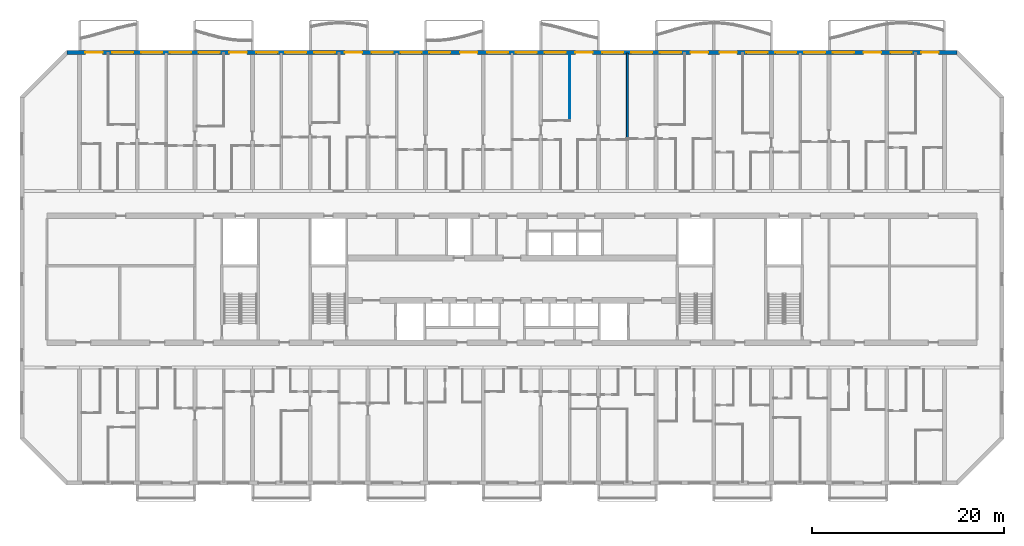
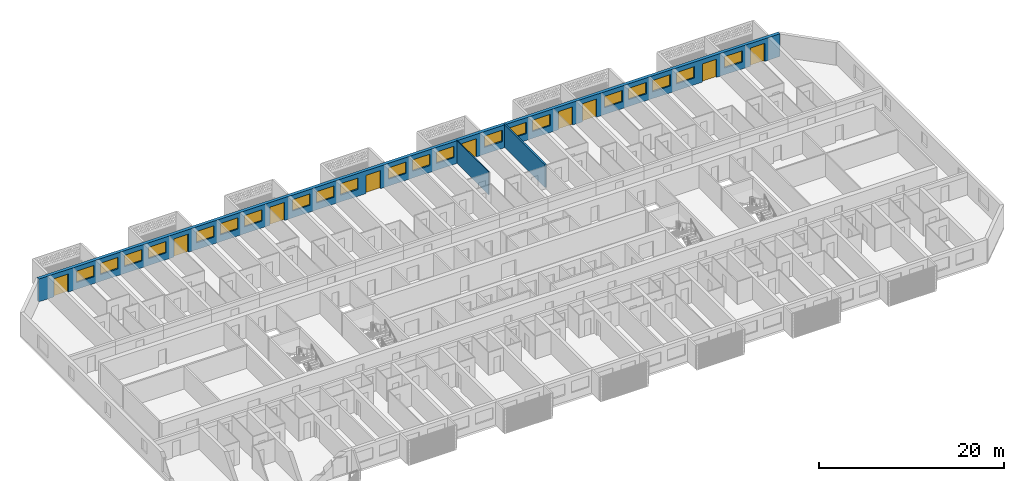
# One storey, part 13 of 38: 21 windows, 9 doors, 3 walls, 30 openings.
"""IFC4 building model written with IfcOpenShell, lengths in metres."""

from ifc_helpers import new_model, si_unit, direction, frame, frame_2d, origin, place, context, subcontext, project, spatial, rectangle, extrude, material, layer, layer_set, type_object, element, fill, save


model = new_model("IFC4")

# Units and contexts
model_context = context("Model", 3, precision=1e-05, world=origin(), true_north=direction((0.0, 1.0)))
body_context = subcontext(model_context, "Body", "Model", "MODEL_VIEW")
ifc_project = project(units=[si_unit("LENGTHUNIT", "METRE"), si_unit("AREAUNIT", "SQUARE_METRE"), si_unit("VOLUMEUNIT", "CUBIC_METRE"), si_unit("PLANEANGLEUNIT", "RADIAN"), si_unit("MASSUNIT", "GRAM", prefix="KILO")], contexts=[model_context])

# Site, building, storey
site_placement = place(None, origin())
site = spatial("IfcSite", under=ifc_project, at=site_placement, CompositionType="ELEMENT")
building_placement = place(site_placement, origin())
building = spatial("IfcBuilding", under=site, at=building_placement, Name="Poui Terraces", CompositionType="ELEMENT")
storey_placement = place(building_placement, frame((0.0, 0.0, 49.800048828125)))
storey = spatial("IfcBuildingStorey", under=building, at=storey_placement, Name="L13", CompositionType="ELEMENT", Elevation=49.800048828125)

# Wall, openings, doors, windows
ifc_material_1 = material(Name="Precast concrete 40 MPa", Category="concrete")
ifc_layer_1 = layer(ifc_material_1, 0.39990234375)
ifc_layer_set_1 = layer_set([ifc_layer_1], Name="Precast concrete 40 MPa")
wall_type_1 = type_object("IfcWallType", Name="EXTERNAL WALL 400", PredefinedType="STANDARD", material=ifc_layer_set_1)
wall_1_placement = place(storey_placement, frame((97.317138671875, 44.800048828125, 0.0), z_axis=(0.0, 0.0, 1.0), x_axis=(-1.0, 0.0, 0.0)))
wall_1 = element("IfcWall", 1, at=wall_1_placement, inside=storey, type_object=wall_type_1, Name="EXTERNAL WALL N", PredefinedType="STANDARD", context=body_context, shape_type="SweptSolid", body=[
    extrude(rectangle(XDim=92.63427734375, YDim=0.39990234375, at=frame_2d((46.317138671875, 0.0))), origin(), (0.0, 0.0, 1.0), 3.0),
])
opening_1_placement = place(wall_1_placement, frame((88.917236328125, 0.0, 0.0)))
opening_1 = element("IfcOpeningElement", 2, at=opening_1_placement, cuts=wall_1, Name="Opening BD1", PredefinedType="OPENING", context=body_context, shape_type="SweptSolid", body=[
    extrude(rectangle(XDim=1.800048828125, YDim=2.39990234375, at=frame_2d((0.89990234375, 1.199951171875))), frame((0.0, 0.2099609375, 0.0), z_axis=(0.0, -1.0, 0.0), x_axis=(1.0, 0.0, 0.0)), (0.0, 0.0, 1.0), 0.419921875),
])
opening_2_placement = place(wall_1_placement, frame((85.71728515625, 0.0, 0.89990234375)))
opening_2 = element("IfcOpeningElement", 3, at=opening_2_placement, cuts=wall_1, Name="Opening W1", PredefinedType="OPENING", context=body_context, shape_type="SweptSolid", body=[
    extrude(rectangle(XDim=2.199951171875, YDim=1.5, at=frame_2d((1.10009765625, 0.75))), frame((0.0, 0.2099609375, 0.0), z_axis=(0.0, -1.0, 0.0), x_axis=(1.0, 0.0, 0.0)), (0.0, 0.0, 1.0), 0.419921875),
])
opening_3_placement = place(wall_1_placement, frame((82.71728515625, 0.0, 0.89990234375)))
opening_3 = element("IfcOpeningElement", 4, at=opening_3_placement, cuts=wall_1, Name="Opening W1", PredefinedType="OPENING", context=body_context, shape_type="SweptSolid", body=[
    extrude(rectangle(XDim=2.199951171875, YDim=1.5, at=frame_2d((1.10009765625, 0.75))), frame((0.0, 0.2099609375, 0.0), z_axis=(0.0, -1.0, 0.0), x_axis=(1.0, 0.0, 0.0)), (0.0, 0.0, 1.0), 0.419921875),
])
opening_4_placement = place(wall_1_placement, frame((79.71728515625, 0.0, 0.89990234375)))
opening_4 = element("IfcOpeningElement", 5, at=opening_4_placement, cuts=wall_1, Name="Opening W1", PredefinedType="OPENING", context=body_context, shape_type="SweptSolid", body=[
    extrude(rectangle(XDim=2.199951171875, YDim=1.5, at=frame_2d((1.10009765625, 0.75))), frame((0.0, 0.2099609375, 0.0), z_axis=(0.0, -1.0, 0.0), x_axis=(1.0, 0.0, 0.0)), (0.0, 0.0, 1.0), 0.419921875),
])
opening_5_placement = place(wall_1_placement, frame((76.71728515625, 0.0, 0.89990234375)))
opening_5 = element("IfcOpeningElement", 6, at=opening_5_placement, cuts=wall_1, Name="Opening W1", PredefinedType="OPENING", context=body_context, shape_type="SweptSolid", body=[
    extrude(rectangle(XDim=2.199951171875, YDim=1.5, at=frame_2d((1.10009765625, 0.75))), frame((0.0, 0.2099609375, 0.0), z_axis=(0.0, -1.0, 0.0), x_axis=(1.0, 0.0, 0.0)), (0.0, 0.0, 1.0), 0.419921875),
])
opening_6_placement = place(wall_1_placement, frame((73.917236328125, 0.0, 0.0)))
opening_6 = element("IfcOpeningElement", 7, at=opening_6_placement, cuts=wall_1, Name="Opening BD1", PredefinedType="OPENING", context=body_context, shape_type="SweptSolid", body=[
    extrude(rectangle(XDim=1.800048828125, YDim=2.39990234375, at=frame_2d((0.89990234375, 1.199951171875))), frame((0.0, 0.2099609375, 0.0), z_axis=(0.0, -1.0, 0.0), x_axis=(1.0, 0.0, 0.0)), (0.0, 0.0, 1.0), 0.419921875),
])
opening_7_placement = place(wall_1_placement, frame((70.71728515625, 0.0, 0.89990234375)))
opening_7 = element("IfcOpeningElement", 8, at=opening_7_placement, cuts=wall_1, Name="Opening W1", PredefinedType="OPENING", context=body_context, shape_type="SweptSolid", body=[
    extrude(rectangle(XDim=2.199951171875, YDim=1.5, at=frame_2d((1.10009765625, 0.75))), frame((0.0, 0.2099609375, 0.0), z_axis=(0.0, -1.0, 0.0), x_axis=(1.0, 0.0, 0.0)), (0.0, 0.0, 1.0), 0.419921875),
])
opening_8_placement = place(wall_1_placement, frame((67.71728515625, 0.0, 0.89990234375)))
opening_8 = element("IfcOpeningElement", 9, at=opening_8_placement, cuts=wall_1, Name="Opening W1", PredefinedType="OPENING", context=body_context, shape_type="SweptSolid", body=[
    extrude(rectangle(XDim=2.199951171875, YDim=1.5, at=frame_2d((1.10009765625, 0.75))), frame((0.0, 0.2099609375, 0.0), z_axis=(0.0, -1.0, 0.0), x_axis=(1.0, 0.0, 0.0)), (0.0, 0.0, 1.0), 0.419921875),
])
opening_9_placement = place(wall_1_placement, frame((64.71728515625, 0.0, 0.89990234375)))
opening_9 = element("IfcOpeningElement", 10, at=opening_9_placement, cuts=wall_1, Name="Opening W1", PredefinedType="OPENING", context=body_context, shape_type="SweptSolid", body=[
    extrude(rectangle(XDim=2.199951171875, YDim=1.5, at=frame_2d((1.10009765625, 0.75))), frame((0.0, 0.2099609375, 0.0), z_axis=(0.0, -1.0, 0.0), x_axis=(1.0, 0.0, 0.0)), (0.0, 0.0, 1.0), 0.419921875),
])
opening_10_placement = place(wall_1_placement, frame((61.917236328125, 0.0, 0.0)))
opening_10 = element("IfcOpeningElement", 11, at=opening_10_placement, cuts=wall_1, Name="Opening BD1", PredefinedType="OPENING", context=body_context, shape_type="SweptSolid", body=[
    extrude(rectangle(XDim=1.800048828125, YDim=2.39990234375, at=frame_2d((0.89990234375, 1.199951171875))), frame((0.0, 0.2099609375, 0.0), z_axis=(0.0, -1.0, 0.0), x_axis=(1.0, 0.0, 0.0)), (0.0, 0.0, 1.0), 0.419921875),
])
opening_11_placement = place(wall_1_placement, frame((58.71728515625, 0.0, 0.89990234375)))
opening_11 = element("IfcOpeningElement", 12, at=opening_11_placement, cuts=wall_1, Name="Opening W1", PredefinedType="OPENING", context=body_context, shape_type="SweptSolid", body=[
    extrude(rectangle(XDim=2.199951171875, YDim=1.5, at=frame_2d((1.10009765625, 0.75))), frame((0.0, 0.2099609375, 0.0), z_axis=(0.0, -1.0, 0.0), x_axis=(1.0, 0.0, 0.0)), (0.0, 0.0, 1.0), 0.419921875),
])
opening_12_placement = place(wall_1_placement, frame((55.71728515625, 0.0, 0.89990234375)))
opening_12 = element("IfcOpeningElement", 13, at=opening_12_placement, cuts=wall_1, Name="Opening W1", PredefinedType="OPENING", context=body_context, shape_type="SweptSolid", body=[
    extrude(rectangle(XDim=2.199951171875, YDim=1.5, at=frame_2d((1.10009765625, 0.75))), frame((0.0, 0.2099609375, 0.0), z_axis=(0.0, -1.0, 0.0), x_axis=(1.0, 0.0, 0.0)), (0.0, 0.0, 1.0), 0.419921875),
])
opening_13_placement = place(wall_1_placement, frame((52.71728515625, 0.0, 0.89990234375)))
opening_13 = element("IfcOpeningElement", 14, at=opening_13_placement, cuts=wall_1, Name="Opening W1", PredefinedType="OPENING", context=body_context, shape_type="SweptSolid", body=[
    extrude(rectangle(XDim=2.199951171875, YDim=1.5, at=frame_2d((1.10009765625, 0.75))), frame((0.0, 0.2099609375, 0.0), z_axis=(0.0, -1.0, 0.0), x_axis=(1.0, 0.0, 0.0)), (0.0, 0.0, 1.0), 0.419921875),
])
opening_14_placement = place(wall_1_placement, frame((49.917236328125, 0.0, 0.0)))
opening_14 = element("IfcOpeningElement", 15, at=opening_14_placement, cuts=wall_1, Name="Opening BD1", PredefinedType="OPENING", context=body_context, shape_type="SweptSolid", body=[
    extrude(rectangle(XDim=1.800048828125, YDim=2.39990234375, at=frame_2d((0.89990234375, 1.199951171875))), frame((0.0, 0.2099609375, 0.0), z_axis=(0.0, -1.0, 0.0), x_axis=(1.0, 0.0, 0.0)), (0.0, 0.0, 1.0), 0.419921875),
])
opening_15_placement = place(wall_1_placement, frame((46.71728515625, 0.0, 0.89990234375)))
opening_15 = element("IfcOpeningElement", 16, at=opening_15_placement, cuts=wall_1, Name="Opening W1", PredefinedType="OPENING", context=body_context, shape_type="SweptSolid", body=[
    extrude(rectangle(XDim=2.199951171875, YDim=1.5, at=frame_2d((1.10009765625, 0.75))), frame((0.0, 0.2099609375, 0.0), z_axis=(0.0, -1.0, 0.0), x_axis=(1.0, 0.0, 0.0)), (0.0, 0.0, 1.0), 0.419921875),
])
opening_16_placement = place(wall_1_placement, frame((43.71728515625, 0.0, 0.89990234375)))
opening_16 = element("IfcOpeningElement", 17, at=opening_16_placement, cuts=wall_1, Name="Opening W1", PredefinedType="OPENING", context=body_context, shape_type="SweptSolid", body=[
    extrude(rectangle(XDim=2.199951171875, YDim=1.5, at=frame_2d((1.10009765625, 0.75))), frame((0.0, 0.2099609375, 0.0), z_axis=(0.0, -1.0, 0.0), x_axis=(1.0, 0.0, 0.0)), (0.0, 0.0, 1.0), 0.419921875),
])
opening_17_placement = place(wall_1_placement, frame((40.71728515625, 0.0, 0.89990234375)))
opening_17 = element("IfcOpeningElement", 18, at=opening_17_placement, cuts=wall_1, Name="Opening W1", PredefinedType="OPENING", context=body_context, shape_type="SweptSolid", body=[
    extrude(rectangle(XDim=2.199951171875, YDim=1.5, at=frame_2d((1.10009765625, 0.75))), frame((0.0, 0.2099609375, 0.0), z_axis=(0.0, -1.0, 0.0), x_axis=(1.0, 0.0, 0.0)), (0.0, 0.0, 1.0), 0.419921875),
])
opening_18_placement = place(wall_1_placement, frame((37.917236328125, 0.0, 0.0)))
opening_18 = element("IfcOpeningElement", 19, at=opening_18_placement, cuts=wall_1, Name="Opening BD1", PredefinedType="OPENING", context=body_context, shape_type="SweptSolid", body=[
    extrude(rectangle(XDim=1.800048828125, YDim=2.39990234375, at=frame_2d((0.89990234375, 1.199951171875))), frame((0.0, 0.2099609375, 0.0), z_axis=(0.0, -1.0, 0.0), x_axis=(1.0, 0.0, 0.0)), (0.0, 0.0, 1.0), 0.419921875),
])
opening_19_placement = place(wall_1_placement, frame((34.71728515625, 0.0, 0.89990234375)))
opening_19 = element("IfcOpeningElement", 20, at=opening_19_placement, cuts=wall_1, Name="Opening W1", PredefinedType="OPENING", context=body_context, shape_type="SweptSolid", body=[
    extrude(rectangle(XDim=2.199951171875, YDim=1.5, at=frame_2d((1.10009765625, 0.75))), frame((0.0, 0.2099609375, 0.0), z_axis=(0.0, -1.0, 0.0), x_axis=(1.0, 0.0, 0.0)), (0.0, 0.0, 1.0), 0.419921875),
])
opening_20_placement = place(wall_1_placement, frame((31.71728515625, 0.0, 0.89990234375)))
opening_20 = element("IfcOpeningElement", 21, at=opening_20_placement, cuts=wall_1, Name="Opening W1", PredefinedType="OPENING", context=body_context, shape_type="SweptSolid", body=[
    extrude(rectangle(XDim=2.199951171875, YDim=1.5, at=frame_2d((1.10009765625, 0.75))), frame((0.0, 0.2099609375, 0.0), z_axis=(0.0, -1.0, 0.0), x_axis=(1.0, 0.0, 0.0)), (0.0, 0.0, 1.0), 0.419921875),
])
opening_21_placement = place(wall_1_placement, frame((28.71728515625, 0.0, 0.89990234375)))
opening_21 = element("IfcOpeningElement", 22, at=opening_21_placement, cuts=wall_1, Name="Opening W1", PredefinedType="OPENING", context=body_context, shape_type="SweptSolid", body=[
    extrude(rectangle(XDim=2.199951171875, YDim=1.5, at=frame_2d((1.10009765625, 0.75))), frame((0.0, 0.2099609375, 0.0), z_axis=(0.0, -1.0, 0.0), x_axis=(1.0, 0.0, 0.0)), (0.0, 0.0, 1.0), 0.419921875),
])
opening_22_placement = place(wall_1_placement, frame((25.917236328125, 0.0, 0.0)))
opening_22 = element("IfcOpeningElement", 23, at=opening_22_placement, cuts=wall_1, Name="Opening BD1", PredefinedType="OPENING", context=body_context, shape_type="SweptSolid", body=[
    extrude(rectangle(XDim=1.800048828125, YDim=2.39990234375, at=frame_2d((0.89990234375, 1.199951171875))), frame((0.0, 0.2099609375, 0.0), z_axis=(0.0, -1.0, 0.0), x_axis=(1.0, 0.0, 0.0)), (0.0, 0.0, 1.0), 0.419921875),
])
opening_23_placement = place(wall_1_placement, frame((22.917236328125, 0.0, 0.0)))
opening_23 = element("IfcOpeningElement", 24, at=opening_23_placement, cuts=wall_1, Name="Opening BD1", PredefinedType="OPENING", context=body_context, shape_type="SweptSolid", body=[
    extrude(rectangle(XDim=1.800048828125, YDim=2.39990234375, at=frame_2d((0.89990234375, 1.199951171875))), frame((0.0, 0.2099609375, 0.0), z_axis=(0.0, -1.0, 0.0), x_axis=(1.0, 0.0, 0.0)), (0.0, 0.0, 1.0), 0.419921875),
])
opening_24_placement = place(wall_1_placement, frame((19.71728515625, 0.0, 0.89990234375)))
opening_24 = element("IfcOpeningElement", 25, at=opening_24_placement, cuts=wall_1, Name="Opening W1", PredefinedType="OPENING", context=body_context, shape_type="SweptSolid", body=[
    extrude(rectangle(XDim=2.199951171875, YDim=1.5, at=frame_2d((1.10009765625, 0.75))), frame((0.0, 0.2099609375, 0.0), z_axis=(0.0, -1.0, 0.0), x_axis=(1.0, 0.0, 0.0)), (0.0, 0.0, 1.0), 0.419921875),
])
opening_25_placement = place(wall_1_placement, frame((16.71728515625, 0.0, 0.89990234375)))
opening_25 = element("IfcOpeningElement", 26, at=opening_25_placement, cuts=wall_1, Name="Opening W1", PredefinedType="OPENING", context=body_context, shape_type="SweptSolid", body=[
    extrude(rectangle(XDim=2.199951171875, YDim=1.5, at=frame_2d((1.10009765625, 0.75))), frame((0.0, 0.2099609375, 0.0), z_axis=(0.0, -1.0, 0.0), x_axis=(1.0, 0.0, 0.0)), (0.0, 0.0, 1.0), 0.419921875),
])
opening_26_placement = place(wall_1_placement, frame((13.71728515625, 0.0, 0.89990234375)))
opening_26 = element("IfcOpeningElement", 27, at=opening_26_placement, cuts=wall_1, Name="Opening W1", PredefinedType="OPENING", context=body_context, shape_type="SweptSolid", body=[
    extrude(rectangle(XDim=2.199951171875, YDim=1.5, at=frame_2d((1.10009765625, 0.75))), frame((0.0, 0.2099609375, 0.0), z_axis=(0.0, -1.0, 0.0), x_axis=(1.0, 0.0, 0.0)), (0.0, 0.0, 1.0), 0.419921875),
])
opening_27_placement = place(wall_1_placement, frame((10.71728515625, 0.0, 0.89990234375)))
opening_27 = element("IfcOpeningElement", 28, at=opening_27_placement, cuts=wall_1, Name="Opening W1", PredefinedType="OPENING", context=body_context, shape_type="SweptSolid", body=[
    extrude(rectangle(XDim=2.199951171875, YDim=1.5, at=frame_2d((1.10009765625, 0.75))), frame((0.0, 0.2099609375, 0.0), z_axis=(0.0, -1.0, 0.0), x_axis=(1.0, 0.0, 0.0)), (0.0, 0.0, 1.0), 0.419921875),
])
opening_28_placement = place(wall_1_placement, frame((7.917236328125, 0.0, 0.0)))
opening_28 = element("IfcOpeningElement", 29, at=opening_28_placement, cuts=wall_1, Name="Opening BD1", PredefinedType="OPENING", context=body_context, shape_type="SweptSolid", body=[
    extrude(rectangle(XDim=1.800048828125, YDim=2.39990234375, at=frame_2d((0.89990234375, 1.199951171875))), frame((0.0, 0.2099609375, 0.0), z_axis=(0.0, -1.0, 0.0), x_axis=(1.0, 0.0, 0.0)), (0.0, 0.0, 1.0), 0.419921875),
])
opening_29_placement = place(wall_1_placement, frame((4.71728515625, 0.0, 0.89990234375)))
opening_29 = element("IfcOpeningElement", 30, at=opening_29_placement, cuts=wall_1, Name="Opening W1", PredefinedType="OPENING", context=body_context, shape_type="SweptSolid", body=[
    extrude(rectangle(XDim=2.199951171875, YDim=1.5, at=frame_2d((1.10009765625, 0.75))), frame((0.0, 0.2099609375, 0.0), z_axis=(0.0, -1.0, 0.0), x_axis=(1.0, 0.0, 0.0)), (0.0, 0.0, 1.0), 0.419921875),
])
opening_30_placement = place(wall_1_placement, frame((1.917236328125, 0.0, 0.0)))
opening_30 = element("IfcOpeningElement", 31, at=opening_30_placement, cuts=wall_1, Name="Opening BD1", PredefinedType="OPENING", context=body_context, shape_type="SweptSolid", body=[
    extrude(rectangle(XDim=1.800048828125, YDim=2.39990234375, at=frame_2d((0.89990234375, 1.199951171875))), frame((0.0, 0.2099609375, 0.0), z_axis=(0.0, -1.0, 0.0), x_axis=(1.0, 0.0, 0.0)), (0.0, 0.0, 1.0), 0.419921875),
])
ifc_material_2 = material(Name="Clear glass in aluminium frame", Category="aluminium")
door_type = type_object("IfcDoorType", Name="BALCONY DOOR 1800X2400", OperationType="DOUBLE_DOOR_SLIDING", PredefinedType="DOOR", material=ifc_material_2)
door_1_placement = place(opening_1_placement, origin())
door_1 = element("IfcDoor", 32, at=door_1_placement, inside=storey, type_object=door_type, Name="BD1 BALCONY DOOR", OperationType="DOUBLE_DOOR_SLIDING", OverallHeight=2.39990234375, OverallWidth=1.800048828125, PredefinedType="DOOR", context=body_context, shape_type="SweptSolid", body=[
    extrude(rectangle(XDim=1.800048828125, YDim=2.39990234375, at=frame_2d((0.89990234375, 1.199951171875))), frame((0.0, 0.02490234375, 0.0), z_axis=(0.0, -1.0, 0.0), x_axis=(1.0, 0.0, 0.0)), (0.0, 0.0, 1.0), 0.050048828125),
])
fill(opening_1, door_1)
door_2_placement = place(opening_6_placement, origin())
door_2 = element("IfcDoor", 33, at=door_2_placement, inside=storey, type_object=door_type, Name="BD1 BALCONY DOOR", OperationType="DOUBLE_DOOR_SLIDING", OverallHeight=2.39990234375, OverallWidth=1.800048828125, PredefinedType="DOOR", context=body_context, shape_type="SweptSolid", body=[
    extrude(rectangle(XDim=1.800048828125, YDim=2.39990234375, at=frame_2d((0.89990234375, 1.199951171875))), frame((0.0, 0.02490234375, 0.0), z_axis=(0.0, -1.0, 0.0), x_axis=(1.0, 0.0, 0.0)), (0.0, 0.0, 1.0), 0.050048828125),
])
fill(opening_6, door_2)
door_3_placement = place(opening_10_placement, origin())
door_3 = element("IfcDoor", 34, at=door_3_placement, inside=storey, type_object=door_type, Name="BD1 BALCONY DOOR", OperationType="DOUBLE_DOOR_SLIDING", OverallHeight=2.39990234375, OverallWidth=1.800048828125, PredefinedType="DOOR", context=body_context, shape_type="SweptSolid", body=[
    extrude(rectangle(XDim=1.800048828125, YDim=2.39990234375, at=frame_2d((0.89990234375, 1.199951171875))), frame((0.0, 0.02490234375, 0.0), z_axis=(0.0, -1.0, 0.0), x_axis=(1.0, 0.0, 0.0)), (0.0, 0.0, 1.0), 0.050048828125),
])
fill(opening_10, door_3)
door_4_placement = place(opening_14_placement, origin())
door_4 = element("IfcDoor", 35, at=door_4_placement, inside=storey, type_object=door_type, Name="BD1 BALCONY DOOR", OperationType="DOUBLE_DOOR_SLIDING", OverallHeight=2.39990234375, OverallWidth=1.800048828125, PredefinedType="DOOR", context=body_context, shape_type="SweptSolid", body=[
    extrude(rectangle(XDim=1.800048828125, YDim=2.39990234375, at=frame_2d((0.89990234375, 1.199951171875))), frame((0.0, 0.02490234375, 0.0), z_axis=(0.0, -1.0, 0.0), x_axis=(1.0, 0.0, 0.0)), (0.0, 0.0, 1.0), 0.050048828125),
])
fill(opening_14, door_4)
door_5_placement = place(opening_18_placement, origin())
door_5 = element("IfcDoor", 36, at=door_5_placement, inside=storey, type_object=door_type, Name="BD1 BALCONY DOOR", OperationType="DOUBLE_DOOR_SLIDING", OverallHeight=2.39990234375, OverallWidth=1.800048828125, PredefinedType="DOOR", context=body_context, shape_type="SweptSolid", body=[
    extrude(rectangle(XDim=1.800048828125, YDim=2.39990234375, at=frame_2d((0.89990234375, 1.199951171875))), frame((0.0, 0.02490234375, 0.0), z_axis=(0.0, -1.0, 0.0), x_axis=(1.0, 0.0, 0.0)), (0.0, 0.0, 1.0), 0.050048828125),
])
fill(opening_18, door_5)
door_6_placement = place(opening_22_placement, origin())
door_6 = element("IfcDoor", 37, at=door_6_placement, inside=storey, type_object=door_type, Name="BD1 BALCONY DOOR", OperationType="DOUBLE_DOOR_SLIDING", OverallHeight=2.39990234375, OverallWidth=1.800048828125, PredefinedType="DOOR", context=body_context, shape_type="SweptSolid", body=[
    extrude(rectangle(XDim=1.800048828125, YDim=2.39990234375, at=frame_2d((0.89990234375, 1.199951171875))), frame((0.0, 0.02490234375, 0.0), z_axis=(0.0, -1.0, 0.0), x_axis=(1.0, 0.0, 0.0)), (0.0, 0.0, 1.0), 0.050048828125),
])
fill(opening_22, door_6)
door_7_placement = place(opening_23_placement, origin())
door_7 = element("IfcDoor", 38, at=door_7_placement, inside=storey, type_object=door_type, Name="BD1 BALCONY DOOR", OperationType="DOUBLE_DOOR_SLIDING", OverallHeight=2.39990234375, OverallWidth=1.800048828125, PredefinedType="DOOR", context=body_context, shape_type="SweptSolid", body=[
    extrude(rectangle(XDim=1.800048828125, YDim=2.39990234375, at=frame_2d((0.89990234375, 1.199951171875))), frame((0.0, 0.02490234375, 0.0), z_axis=(0.0, -1.0, 0.0), x_axis=(1.0, 0.0, 0.0)), (0.0, 0.0, 1.0), 0.050048828125),
])
fill(opening_23, door_7)
door_8_placement = place(opening_28_placement, origin())
door_8 = element("IfcDoor", 39, at=door_8_placement, inside=storey, type_object=door_type, Name="BD1 BALCONY DOOR", OperationType="DOUBLE_DOOR_SLIDING", OverallHeight=2.39990234375, OverallWidth=1.800048828125, PredefinedType="DOOR", context=body_context, shape_type="SweptSolid", body=[
    extrude(rectangle(XDim=1.800048828125, YDim=2.39990234375, at=frame_2d((0.89990234375, 1.199951171875))), frame((0.0, 0.02490234375, 0.0), z_axis=(0.0, -1.0, 0.0), x_axis=(1.0, 0.0, 0.0)), (0.0, 0.0, 1.0), 0.050048828125),
])
fill(opening_28, door_8)
door_9_placement = place(opening_30_placement, origin())
door_9 = element("IfcDoor", 40, at=door_9_placement, inside=storey, type_object=door_type, Name="BD1 BALCONY DOOR", OperationType="DOUBLE_DOOR_SLIDING", OverallHeight=2.39990234375, OverallWidth=1.800048828125, PredefinedType="DOOR", context=body_context, shape_type="SweptSolid", body=[
    extrude(rectangle(XDim=1.800048828125, YDim=2.39990234375, at=frame_2d((0.89990234375, 1.199951171875))), frame((0.0, 0.02490234375, 0.0), z_axis=(0.0, -1.0, 0.0), x_axis=(1.0, 0.0, 0.0)), (0.0, 0.0, 1.0), 0.050048828125),
])
fill(opening_30, door_9)
window_type = type_object("IfcWindowType", Name="WINDOW 2200X1500", PartitioningType="DOUBLE_PANEL_HORIZONTAL", PredefinedType="WINDOW", material=ifc_material_2)
window_1_placement = place(opening_2_placement, origin())
window_1 = element("IfcWindow", 41, at=window_1_placement, inside=storey, type_object=window_type, Name="W1 WINDOW", OverallHeight=1.5, OverallWidth=2.199951171875, PartitioningType="DOUBLE_PANEL_HORIZONTAL", PredefinedType="WINDOW", context=body_context, shape_type="SweptSolid", body=[
    extrude(rectangle(XDim=2.199951171875, YDim=1.5, at=frame_2d((1.10009765625, 0.75))), frame((0.0, 0.030029296875, 0.0), z_axis=(0.0, -1.0, 0.0), x_axis=(1.0, 0.0, 0.0)), (0.0, 0.0, 1.0), 0.06005859375),
])
fill(opening_2, window_1)
window_2_placement = place(opening_3_placement, origin())
window_2 = element("IfcWindow", 42, at=window_2_placement, inside=storey, type_object=window_type, Name="W1 WINDOW", OverallHeight=1.5, OverallWidth=2.199951171875, PartitioningType="DOUBLE_PANEL_HORIZONTAL", PredefinedType="WINDOW", context=body_context, shape_type="SweptSolid", body=[
    extrude(rectangle(XDim=2.199951171875, YDim=1.5, at=frame_2d((1.10009765625, 0.75))), frame((0.0, 0.030029296875, 0.0), z_axis=(0.0, -1.0, 0.0), x_axis=(1.0, 0.0, 0.0)), (0.0, 0.0, 1.0), 0.06005859375),
])
fill(opening_3, window_2)
window_3_placement = place(opening_4_placement, origin())
window_3 = element("IfcWindow", 43, at=window_3_placement, inside=storey, type_object=window_type, Name="W1 WINDOW", OverallHeight=1.5, OverallWidth=2.199951171875, PartitioningType="DOUBLE_PANEL_HORIZONTAL", PredefinedType="WINDOW", context=body_context, shape_type="SweptSolid", body=[
    extrude(rectangle(XDim=2.199951171875, YDim=1.5, at=frame_2d((1.10009765625, 0.75))), frame((0.0, 0.030029296875, 0.0), z_axis=(0.0, -1.0, 0.0), x_axis=(1.0, 0.0, 0.0)), (0.0, 0.0, 1.0), 0.06005859375),
])
fill(opening_4, window_3)
window_4_placement = place(opening_5_placement, origin())
window_4 = element("IfcWindow", 44, at=window_4_placement, inside=storey, type_object=window_type, Name="W1 WINDOW", OverallHeight=1.5, OverallWidth=2.199951171875, PartitioningType="DOUBLE_PANEL_HORIZONTAL", PredefinedType="WINDOW", context=body_context, shape_type="SweptSolid", body=[
    extrude(rectangle(XDim=2.199951171875, YDim=1.5, at=frame_2d((1.10009765625, 0.75))), frame((0.0, 0.030029296875, 0.0), z_axis=(0.0, -1.0, 0.0), x_axis=(1.0, 0.0, 0.0)), (0.0, 0.0, 1.0), 0.06005859375),
])
fill(opening_5, window_4)
window_5_placement = place(opening_7_placement, origin())
window_5 = element("IfcWindow", 45, at=window_5_placement, inside=storey, type_object=window_type, Name="W1 WINDOW", OverallHeight=1.5, OverallWidth=2.199951171875, PartitioningType="DOUBLE_PANEL_HORIZONTAL", PredefinedType="WINDOW", context=body_context, shape_type="SweptSolid", body=[
    extrude(rectangle(XDim=2.199951171875, YDim=1.5, at=frame_2d((1.10009765625, 0.75))), frame((0.0, 0.030029296875, 0.0), z_axis=(0.0, -1.0, 0.0), x_axis=(1.0, 0.0, 0.0)), (0.0, 0.0, 1.0), 0.06005859375),
])
fill(opening_7, window_5)
window_6_placement = place(opening_8_placement, origin())
window_6 = element("IfcWindow", 46, at=window_6_placement, inside=storey, type_object=window_type, Name="W1 WINDOW", OverallHeight=1.5, OverallWidth=2.199951171875, PartitioningType="DOUBLE_PANEL_HORIZONTAL", PredefinedType="WINDOW", context=body_context, shape_type="SweptSolid", body=[
    extrude(rectangle(XDim=2.199951171875, YDim=1.5, at=frame_2d((1.10009765625, 0.75))), frame((0.0, 0.030029296875, 0.0), z_axis=(0.0, -1.0, 0.0), x_axis=(1.0, 0.0, 0.0)), (0.0, 0.0, 1.0), 0.06005859375),
])
fill(opening_8, window_6)
window_7_placement = place(opening_9_placement, origin())
window_7 = element("IfcWindow", 47, at=window_7_placement, inside=storey, type_object=window_type, Name="W1 WINDOW", OverallHeight=1.5, OverallWidth=2.199951171875, PartitioningType="DOUBLE_PANEL_HORIZONTAL", PredefinedType="WINDOW", context=body_context, shape_type="SweptSolid", body=[
    extrude(rectangle(XDim=2.199951171875, YDim=1.5, at=frame_2d((1.10009765625, 0.75))), frame((0.0, 0.030029296875, 0.0), z_axis=(0.0, -1.0, 0.0), x_axis=(1.0, 0.0, 0.0)), (0.0, 0.0, 1.0), 0.06005859375),
])
fill(opening_9, window_7)
window_8_placement = place(opening_11_placement, origin())
window_8 = element("IfcWindow", 48, at=window_8_placement, inside=storey, type_object=window_type, Name="W1 WINDOW", OverallHeight=1.5, OverallWidth=2.199951171875, PartitioningType="DOUBLE_PANEL_HORIZONTAL", PredefinedType="WINDOW", context=body_context, shape_type="SweptSolid", body=[
    extrude(rectangle(XDim=2.199951171875, YDim=1.5, at=frame_2d((1.10009765625, 0.75))), frame((0.0, 0.030029296875, 0.0), z_axis=(0.0, -1.0, 0.0), x_axis=(1.0, 0.0, 0.0)), (0.0, 0.0, 1.0), 0.06005859375),
])
fill(opening_11, window_8)
window_9_placement = place(opening_12_placement, origin())
window_9 = element("IfcWindow", 49, at=window_9_placement, inside=storey, type_object=window_type, Name="W1 WINDOW", OverallHeight=1.5, OverallWidth=2.199951171875, PartitioningType="DOUBLE_PANEL_HORIZONTAL", PredefinedType="WINDOW", context=body_context, shape_type="SweptSolid", body=[
    extrude(rectangle(XDim=2.199951171875, YDim=1.5, at=frame_2d((1.10009765625, 0.75))), frame((0.0, 0.030029296875, 0.0), z_axis=(0.0, -1.0, 0.0), x_axis=(1.0, 0.0, 0.0)), (0.0, 0.0, 1.0), 0.06005859375),
])
fill(opening_12, window_9)
window_10_placement = place(opening_13_placement, origin())
window_10 = element("IfcWindow", 50, at=window_10_placement, inside=storey, type_object=window_type, Name="W1 WINDOW", OverallHeight=1.5, OverallWidth=2.199951171875, PartitioningType="DOUBLE_PANEL_HORIZONTAL", PredefinedType="WINDOW", context=body_context, shape_type="SweptSolid", body=[
    extrude(rectangle(XDim=2.199951171875, YDim=1.5, at=frame_2d((1.10009765625, 0.75))), frame((0.0, 0.030029296875, 0.0), z_axis=(0.0, -1.0, 0.0), x_axis=(1.0, 0.0, 0.0)), (0.0, 0.0, 1.0), 0.06005859375),
])
fill(opening_13, window_10)
window_11_placement = place(opening_15_placement, origin())
window_11 = element("IfcWindow", 51, at=window_11_placement, inside=storey, type_object=window_type, Name="W1 WINDOW", OverallHeight=1.5, OverallWidth=2.199951171875, PartitioningType="DOUBLE_PANEL_HORIZONTAL", PredefinedType="WINDOW", context=body_context, shape_type="SweptSolid", body=[
    extrude(rectangle(XDim=2.199951171875, YDim=1.5, at=frame_2d((1.10009765625, 0.75))), frame((0.0, 0.030029296875, 0.0), z_axis=(0.0, -1.0, 0.0), x_axis=(1.0, 0.0, 0.0)), (0.0, 0.0, 1.0), 0.06005859375),
])
fill(opening_15, window_11)
window_12_placement = place(opening_16_placement, origin())
window_12 = element("IfcWindow", 52, at=window_12_placement, inside=storey, type_object=window_type, Name="W1 WINDOW", OverallHeight=1.5, OverallWidth=2.199951171875, PartitioningType="DOUBLE_PANEL_HORIZONTAL", PredefinedType="WINDOW", context=body_context, shape_type="SweptSolid", body=[
    extrude(rectangle(XDim=2.199951171875, YDim=1.5, at=frame_2d((1.10009765625, 0.75))), frame((0.0, 0.030029296875, 0.0), z_axis=(0.0, -1.0, 0.0), x_axis=(1.0, 0.0, 0.0)), (0.0, 0.0, 1.0), 0.06005859375),
])
fill(opening_16, window_12)
window_13_placement = place(opening_17_placement, origin())
window_13 = element("IfcWindow", 53, at=window_13_placement, inside=storey, type_object=window_type, Name="W1 WINDOW", OverallHeight=1.5, OverallWidth=2.199951171875, PartitioningType="DOUBLE_PANEL_HORIZONTAL", PredefinedType="WINDOW", context=body_context, shape_type="SweptSolid", body=[
    extrude(rectangle(XDim=2.199951171875, YDim=1.5, at=frame_2d((1.10009765625, 0.75))), frame((0.0, 0.030029296875, 0.0), z_axis=(0.0, -1.0, 0.0), x_axis=(1.0, 0.0, 0.0)), (0.0, 0.0, 1.0), 0.06005859375),
])
fill(opening_17, window_13)
window_14_placement = place(opening_19_placement, origin())
window_14 = element("IfcWindow", 54, at=window_14_placement, inside=storey, type_object=window_type, Name="W1 WINDOW", OverallHeight=1.5, OverallWidth=2.199951171875, PartitioningType="DOUBLE_PANEL_HORIZONTAL", PredefinedType="WINDOW", context=body_context, shape_type="SweptSolid", body=[
    extrude(rectangle(XDim=2.199951171875, YDim=1.5, at=frame_2d((1.10009765625, 0.75))), frame((0.0, 0.030029296875, 0.0), z_axis=(0.0, -1.0, 0.0), x_axis=(1.0, 0.0, 0.0)), (0.0, 0.0, 1.0), 0.06005859375),
])
fill(opening_19, window_14)
window_15_placement = place(opening_20_placement, origin())
window_15 = element("IfcWindow", 55, at=window_15_placement, inside=storey, type_object=window_type, Name="W1 WINDOW", OverallHeight=1.5, OverallWidth=2.199951171875, PartitioningType="DOUBLE_PANEL_HORIZONTAL", PredefinedType="WINDOW", context=body_context, shape_type="SweptSolid", body=[
    extrude(rectangle(XDim=2.199951171875, YDim=1.5, at=frame_2d((1.10009765625, 0.75))), frame((0.0, 0.030029296875, 0.0), z_axis=(0.0, -1.0, 0.0), x_axis=(1.0, 0.0, 0.0)), (0.0, 0.0, 1.0), 0.06005859375),
])
fill(opening_20, window_15)
window_16_placement = place(opening_21_placement, origin())
window_16 = element("IfcWindow", 56, at=window_16_placement, inside=storey, type_object=window_type, Name="W1 WINDOW", OverallHeight=1.5, OverallWidth=2.199951171875, PartitioningType="DOUBLE_PANEL_HORIZONTAL", PredefinedType="WINDOW", context=body_context, shape_type="SweptSolid", body=[
    extrude(rectangle(XDim=2.199951171875, YDim=1.5, at=frame_2d((1.10009765625, 0.75))), frame((0.0, 0.030029296875, 0.0), z_axis=(0.0, -1.0, 0.0), x_axis=(1.0, 0.0, 0.0)), (0.0, 0.0, 1.0), 0.06005859375),
])
fill(opening_21, window_16)
window_17_placement = place(opening_24_placement, origin())
window_17 = element("IfcWindow", 57, at=window_17_placement, inside=storey, type_object=window_type, Name="W1 WINDOW", OverallHeight=1.5, OverallWidth=2.199951171875, PartitioningType="DOUBLE_PANEL_HORIZONTAL", PredefinedType="WINDOW", context=body_context, shape_type="SweptSolid", body=[
    extrude(rectangle(XDim=2.199951171875, YDim=1.5, at=frame_2d((1.10009765625, 0.75))), frame((0.0, 0.030029296875, 0.0), z_axis=(0.0, -1.0, 0.0), x_axis=(1.0, 0.0, 0.0)), (0.0, 0.0, 1.0), 0.06005859375),
])
fill(opening_24, window_17)
window_18_placement = place(opening_25_placement, origin())
window_18 = element("IfcWindow", 58, at=window_18_placement, inside=storey, type_object=window_type, Name="W1 WINDOW", OverallHeight=1.5, OverallWidth=2.199951171875, PartitioningType="DOUBLE_PANEL_HORIZONTAL", PredefinedType="WINDOW", context=body_context, shape_type="SweptSolid", body=[
    extrude(rectangle(XDim=2.199951171875, YDim=1.5, at=frame_2d((1.10009765625, 0.75))), frame((0.0, 0.030029296875, 0.0), z_axis=(0.0, -1.0, 0.0), x_axis=(1.0, 0.0, 0.0)), (0.0, 0.0, 1.0), 0.06005859375),
])
fill(opening_25, window_18)
window_19_placement = place(opening_26_placement, origin())
window_19 = element("IfcWindow", 59, at=window_19_placement, inside=storey, type_object=window_type, Name="W1 WINDOW", OverallHeight=1.5, OverallWidth=2.199951171875, PartitioningType="DOUBLE_PANEL_HORIZONTAL", PredefinedType="WINDOW", context=body_context, shape_type="SweptSolid", body=[
    extrude(rectangle(XDim=2.199951171875, YDim=1.5, at=frame_2d((1.10009765625, 0.75))), frame((0.0, 0.030029296875, 0.0), z_axis=(0.0, -1.0, 0.0), x_axis=(1.0, 0.0, 0.0)), (0.0, 0.0, 1.0), 0.06005859375),
])
fill(opening_26, window_19)
window_20_placement = place(opening_27_placement, origin())
window_20 = element("IfcWindow", 60, at=window_20_placement, inside=storey, type_object=window_type, Name="W1 WINDOW", OverallHeight=1.5, OverallWidth=2.199951171875, PartitioningType="DOUBLE_PANEL_HORIZONTAL", PredefinedType="WINDOW", context=body_context, shape_type="SweptSolid", body=[
    extrude(rectangle(XDim=2.199951171875, YDim=1.5, at=frame_2d((1.10009765625, 0.75))), frame((0.0, 0.030029296875, 0.0), z_axis=(0.0, -1.0, 0.0), x_axis=(1.0, 0.0, 0.0)), (0.0, 0.0, 1.0), 0.06005859375),
])
fill(opening_27, window_20)
window_21_placement = place(opening_29_placement, origin())
window_21 = element("IfcWindow", 61, at=window_21_placement, inside=storey, type_object=window_type, Name="W1 WINDOW", OverallHeight=1.5, OverallWidth=2.199951171875, PartitioningType="DOUBLE_PANEL_HORIZONTAL", PredefinedType="WINDOW", context=body_context, shape_type="SweptSolid", body=[
    extrude(rectangle(XDim=2.199951171875, YDim=1.5, at=frame_2d((1.10009765625, 0.75))), frame((0.0, 0.030029296875, 0.0), z_axis=(0.0, -1.0, 0.0), x_axis=(1.0, 0.0, 0.0)), (0.0, 0.0, 1.0), 0.06005859375),
])
fill(opening_29, window_21)

# Walls
ifc_material_3 = material(Name="Plasterboard partition")
ifc_layer_2 = layer(ifc_material_3, 0.10009765625)
ifc_layer_set_2 = layer_set([ifc_layer_2], Name="Plasterboard partition")
wall_type_2 = type_object("IfcWallType", Name="FLAT PARTITION 100", PredefinedType="PARTITIONING", material=ifc_layer_set_2)
wall_2_placement = place(storey_placement, frame((57.0, 37.75, 0.0), z_axis=(0.0, 0.0, 1.0), x_axis=(0.0, 1.0, 0.0)))
element("IfcWall", 62, at=wall_2_placement, inside=storey, type_object=wall_type_2, Name="FLAT PARTITION 100", PredefinedType="PARTITIONING", context=body_context, shape_type="SweptSolid", body=[
    extrude(rectangle(XDim=6.989990234375, YDim=0.10009765625, at=frame_2d((3.4951171875, 0.0))), origin(), (0.0, 0.0, 1.0), 3.0),
])
ifc_material_4 = material(Name="Fire-rated masonry wall", Category="masonry")
ifc_layer_3 = layer(ifc_material_4, 0.199951171875)
ifc_layer_set_3 = layer_set([ifc_layer_3], Name="Fire-rated masonry wall")
wall_type_3 = type_object("IfcWallType", Name="FLAT PARTY WALL 200", PredefinedType="PARTITIONING", material=ifc_layer_set_3)
wall_3_placement = place(storey_placement, frame((63.0, 35.85009765625, 0.0), z_axis=(0.0, 0.0, 1.0), x_axis=(0.0, 1.0, 0.0)))
element("IfcWall", 63, at=wall_3_placement, inside=storey, type_object=wall_type_3, Name="FLAT PARTY WALL 200", PredefinedType="PARTITIONING", context=body_context, shape_type="SweptSolid", body=[
    extrude(rectangle(XDim=8.889892578125, YDim=0.199951171875, at=frame_2d((4.44482421875, 0.0))), origin(), (0.0, 0.0, 1.0), 3.0),
])

save(model, "model.ifc")
